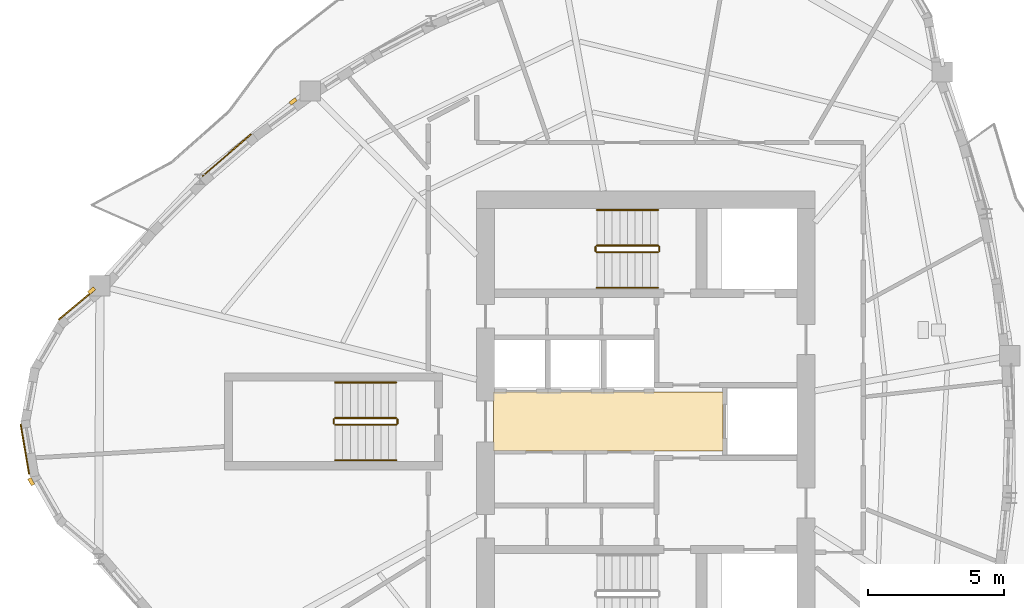
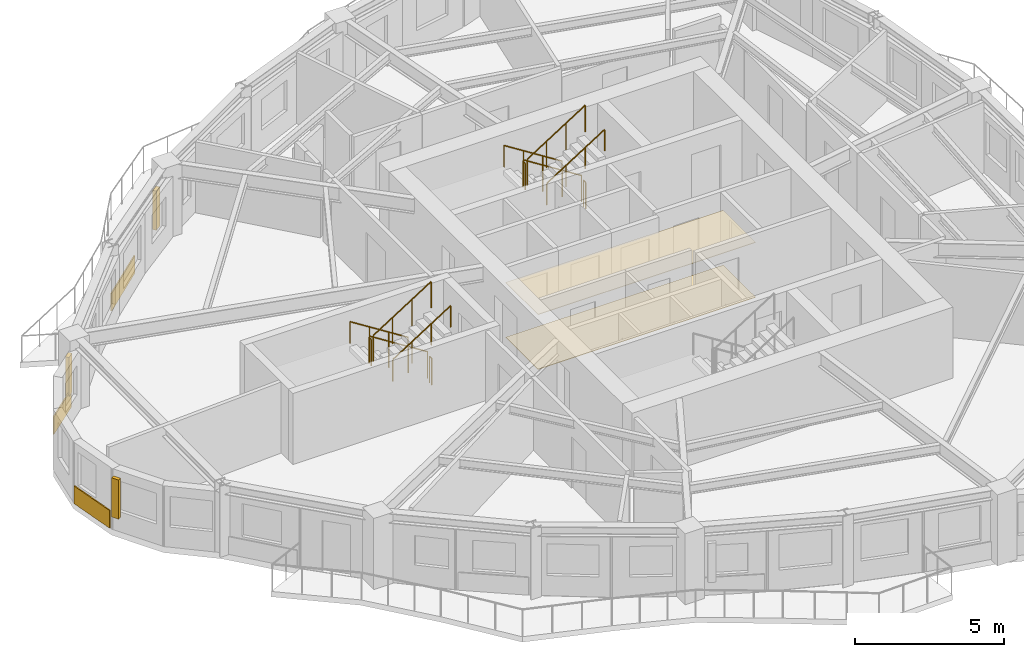
# One storey, part 10 of 12: 12 railings, 5 coverings, 3 shading devices.
"""IFC4 building model written with IfcOpenShell, lengths in metres."""

import ifcopenshell
import ifcopenshell.guid

model = None  # the IFC model being written
_history = None  # IfcOwnerHistory: only IFC2X3 demands one
_inside = {}  # id of a spatial element -> (the spatial element, [elements in it])
_under = {}  # id of a project, library or spatial element -> (it, [spatial elements below it])
_declared = {}  # id of a project -> (the project, [libraries it declares])
_typed = {}  # id of a type object -> (the type object, [elements of that type])
_made_of = {}  # id of a material, layer set ... -> (it, [elements and type objects made of it])


def new_model(schema):
    """Start an empty IFC model of exactly this schema.

    Asked for "IFC4X3", IfcOpenShell would pick the latest addendum, in which some entities
    have other attributes; the version numbers below select the first issue.
    IFC2X3 requires an IfcOwnerHistory on every rooted entity: one is made here for all.
    """
    global model, _history
    if schema == "IFC4X3":
        model = ifcopenshell.file(schema_version=(4, 3, 0, 0))
    else:
        model = ifcopenshell.file(schema=schema)
    _inside.clear()
    _under.clear()
    _declared.clear()
    _typed.clear()
    _made_of.clear()
    _history = None
    if model.schema == "IFC2X3":
        org = make("IfcOrganization", Name="unknown")
        user = make(
            "IfcPersonAndOrganization",
            ThePerson=make("IfcPerson", FamilyName="unknown"),
            TheOrganization=org,
        )
        app = make(
            "IfcApplication",
            ApplicationDeveloper=org,
            Version="unknown",
            ApplicationFullName="unknown",
            ApplicationIdentifier="unknown",
        )
        _history = make(
            "IfcOwnerHistory",
            OwningUser=user,
            OwningApplication=app,
            ChangeAction="ADDED",
            CreationDate=0,
        )
    return model


def make(cls, **values):
    """One entity of the class cls with the attributes given. An attribute that is None is left unset."""
    return model.create_entity(
        cls, **{name: value for name, value in values.items() if value is not None}
    )


def rooted(cls, **values):
    """An entity with a GlobalId (a new one), such as an element, a storey or a relation."""
    return make(cls, GlobalId=ifcopenshell.guid.new(), OwnerHistory=_history, **values)


def si_unit(unit_type, name, prefix=None):
    """IfcSIUnit, for example si_unit("LENGTHUNIT", "METRE", prefix="MILLI")."""
    return make("IfcSIUnit", UnitType=unit_type, Prefix=prefix, Name=name)


def assignment(units):
    """IfcUnitAssignment: the units of a project."""
    return None if units is None else make("IfcUnitAssignment", Units=units)


def point(xyz):
    """IfcCartesianPoint."""
    return None if xyz is None else make("IfcCartesianPoint", Coordinates=xyz)


def direction(xyz):
    """IfcDirection."""
    return None if xyz is None else make("IfcDirection", DirectionRatios=xyz)


def frame(location, z_axis=None, x_axis=None):
    """IfcAxis2Placement3D, a coordinate frame: its origin and axes. An axis left out is left unset."""
    return make(
        "IfcAxis2Placement3D",
        Location=point(location),
        Axis=direction(z_axis),
        RefDirection=direction(x_axis),
    )


def frame_2d(location, x_axis=None):
    """IfcAxis2Placement2D, a coordinate frame in the plane: its origin and x axis."""
    return make(
        "IfcAxis2Placement2D", Location=point(location), RefDirection=direction(x_axis)
    )


def origin():
    """The frame at (0, 0, 0) with its axes left unset."""
    return frame((0.0, 0.0, 0.0))


def origin_2d():
    """The frame at (0, 0) in the plane with its x axis left unset."""
    return frame_2d((0.0, 0.0))


def place(relative_to, where):
    """IfcLocalPlacement: puts the frame where relative to a parent placement (None: the world)."""
    return make(
        "IfcLocalPlacement", PlacementRelTo=relative_to, RelativePlacement=where
    )


def context(
    kind, dimensions, precision=None, world=None, true_north=None, identifier=None
):
    """IfcGeometricRepresentationContext, for example the 3D "Model" context."""
    return make(
        "IfcGeometricRepresentationContext",
        ContextIdentifier=identifier,
        ContextType=kind,
        CoordinateSpaceDimension=dimensions,
        Precision=precision,
        WorldCoordinateSystem=world,
        TrueNorth=true_north,
    )


def subcontext(parent, identifier, kind, view, scale=None):
    """IfcGeometricRepresentationSubContext, for example "Body" below "Model"."""
    return make(
        "IfcGeometricRepresentationSubContext",
        ContextIdentifier=identifier,
        ContextType=kind,
        ParentContext=parent,
        TargetScale=scale,
        TargetView=view,
    )


def project(units=None, contexts=None):
    """IfcProject with its units and contexts."""
    return rooted(
        "IfcProject",
        Name="project",
        RepresentationContexts=contexts,
        UnitsInContext=assignment(units),
    )


def spatial(cls, under=None, at=None, **own):
    """A site, building, storey or space (cls), placed at a placement, below another one or the project."""
    s = rooted(cls, ObjectPlacement=at, **own)
    if under is not None:
        _under.setdefault(under.id(), (under, []))[1].append(s)
    return s


def polyline(points):
    """IfcPolyline through the points."""
    return make("IfcPolyline", Points=[point(p) for p in points])


def profile(cls, at=None, kind="AREA", **sizes):
    """A parametric profile (cls). Its sizes go by their IFC names, for example OverallWidth=200.0."""
    return make(cls, ProfileType=kind, Position=at, **sizes)


def rectangle(**sizes):
    """IfcRectangleProfileDef."""
    return profile("IfcRectangleProfileDef", **sizes)


def circle(**sizes):
    """IfcCircleProfileDef."""
    return profile("IfcCircleProfileDef", **sizes)


def outline(outer, holes=None, kind="AREA"):
    """IfcArbitraryClosedProfileDef: a profile drawn as a closed curve; with holes, ...WithVoids."""
    if holes is None:
        return make("IfcArbitraryClosedProfileDef", ProfileType=kind, OuterCurve=outer)
    return make(
        "IfcArbitraryProfileDefWithVoids",
        ProfileType=kind,
        OuterCurve=outer,
        InnerCurves=holes,
    )


def extrude(swept, where, along, depth):
    """IfcExtrudedAreaSolid: the profile swept, set in the frame where, extruded along a direction by depth."""
    return make(
        "IfcExtrudedAreaSolid",
        SweptArea=swept,
        Position=where,
        ExtrudedDirection=direction(along),
        Depth=depth,
    )


def shape(context_of_items, identifier, shape_type, items):
    """IfcShapeRepresentation: the items that make up one representation, for example the "Body"."""
    return make(
        "IfcShapeRepresentation",
        ContextOfItems=context_of_items,
        RepresentationIdentifier=identifier,
        RepresentationType=shape_type,
        Items=items,
    )


def source(mapping_origin, context_of_items, identifier, shape_type, items):
    """IfcRepresentationMap: a shape defined once, which mapped items show again and again."""
    return make(
        "IfcRepresentationMap",
        MappingOrigin=mapping_origin,
        MappedRepresentation=shape(context_of_items, identifier, shape_type, items),
    )


def transform(
    local_origin,
    x_axis=None,
    y_axis=None,
    z_axis=None,
    scale=None,
    scale2=None,
    scale3=None,
    uniform=True,
):
    """IfcCartesianTransformationOperator3D, or its non-uniform kind. x_axis, y_axis, z_axis: its Axis1, 2, 3."""
    if uniform:
        return make(
            "IfcCartesianTransformationOperator3D",
            Axis1=direction(x_axis),
            Axis2=direction(y_axis),
            LocalOrigin=point(local_origin),
            Scale=scale,
            Axis3=direction(z_axis),
        )
    return make(
        "IfcCartesianTransformationOperator3DnonUniform",
        Axis1=direction(x_axis),
        Axis2=direction(y_axis),
        LocalOrigin=point(local_origin),
        Scale=scale,
        Axis3=direction(z_axis),
        Scale2=scale2,
        Scale3=scale3,
    )


def mapped(mapping_source, mapping_target):
    """IfcMappedItem: shows the shape of a source again, moved by a transform."""
    return make(
        "IfcMappedItem", MappingSource=mapping_source, MappingTarget=mapping_target
    )


def material(Name=None, Category=None):
    """IfcMaterial."""
    return make("IfcMaterial", Name=Name, Category=Category)


def layer(
    of_material, thickness, ventilated=None, Name=None, Category=None, Priority=None
):
    """IfcMaterialLayer: one layer of a wall or slab, of a material (None: an air gap)."""
    return make(
        "IfcMaterialLayer",
        Material=of_material,
        LayerThickness=thickness,
        IsVentilated=ventilated,
        Name=Name,
        Category=Category,
        Priority=Priority,
    )


def layer_set(layers, Name=None):
    """IfcMaterialLayerSet."""
    return make("IfcMaterialLayerSet", MaterialLayers=layers, LayerSetName=Name)


def made_of(thing, what):
    """Note that an element or type object is made of a material, layer set ...; save() writes the relation."""
    if what is not None:
        _made_of.setdefault(what.id(), (what, []))[1].append(thing)
    return thing


def type_object(cls, material=None, **own):
    """A type object (cls), such as IfcWallType, which elements share."""
    return made_of(rooted(cls, **own), material)


def element(
    cls,
    number,
    at=None,
    inside=None,
    cuts=None,
    type_object=None,
    material=None,
    context=None,
    identifier="Body",
    shape_type=None,
    held_by="IfcProductDefinitionShape",
    body=None,
    shapes=None,
    **own,
):
    """One element of the class cls, such as IfcWall. Its Tag is "e" and its number.

    at: its placement. inside: the storey or other place that contains it. cuts: it is an
    opening in that element (IfcRelVoidsElement). A single representation is given by context,
    identifier, shape_type and body (its items); several are given by shapes. held_by: the class
    of the entity that holds the representations. save() writes the other relations.
    """
    e = rooted(cls, Tag="e%d" % number, ObjectPlacement=at, **own)
    if body is not None:
        shapes = [shape(context, identifier, shape_type, body)]
    if shapes is not None:
        e.Representation = make(held_by, Representations=shapes)
    if inside is not None:
        _inside.setdefault(inside.id(), (inside, []))[1].append(e)
    if cuts is not None:
        rooted(
            "IfcRelVoidsElement", RelatingBuildingElement=cuts, RelatedOpeningElement=e
        )
    if type_object is not None:
        _typed.setdefault(type_object.id(), (type_object, []))[1].append(e)
    return made_of(e, material)


def aggregate(whole, parts):
    """IfcRelAggregates: a whole, such as a stair, and the parts it consists of."""
    return rooted("IfcRelAggregates", RelatingObject=whole, RelatedObjects=parts)


def save(model, path):
    """Write the relations noted so far, then the file.

    IfcRelAggregates (storeys below a building ...), IfcRelContainedInSpatialStructure (elements
    in a storey), IfcRelDefinesByType, IfcRelAssociatesMaterial and IfcRelDeclares: one each for
    every whole, place, type object, material and project.
    """
    for whole, parts in _under.values():
        aggregate(whole, parts)
    for where, things in _inside.values():
        rooted(
            "IfcRelContainedInSpatialStructure",
            RelatedElements=things,
            RelatingStructure=where,
        )
    for kind, things in _typed.values():
        rooted("IfcRelDefinesByType", RelatedObjects=things, RelatingType=kind)
    for what, things in _made_of.values():
        rooted("IfcRelAssociatesMaterial", RelatedObjects=things, RelatingMaterial=what)
    for by, libraries in _declared.values():
        rooted("IfcRelDeclares", RelatingContext=by, RelatedDefinitions=libraries)
    model.write(path)


model = new_model("IFC4")

# Units and contexts
model_context = context("Model", 3, precision=1e-05, world=origin(), true_north=direction((0.0, 1.0)))
body_context = subcontext(model_context, "Body", "Model", "MODEL_VIEW")
ifc_project = project(units=[si_unit("LENGTHUNIT", "METRE"), si_unit("AREAUNIT", "SQUARE_METRE"), si_unit("VOLUMEUNIT", "CUBIC_METRE"), si_unit("PLANEANGLEUNIT", "RADIAN"), si_unit("MASSUNIT", "GRAM", prefix="KILO")], contexts=[model_context])

# Site, building, storey
site_placement = place(None, origin())
site = spatial("IfcSite", under=ifc_project, at=site_placement, CompositionType="ELEMENT")
building_placement = place(site_placement, origin())
building = spatial("IfcBuilding", under=site, at=building_placement, Name="Qafzar Sky-Pleat Residences", CompositionType="ELEMENT")
storey_placement = place(building_placement, frame((0.0, 0.0, 187.39990234375)))
storey = spatial("IfcBuildingStorey", under=building, at=storey_placement, Name="L56", CompositionType="ELEMENT", Elevation=187.39990234375)

# Coverings
ifc_material_1 = material(Name="Perforated acoustic gypsum board ceiling")
ifc_layer_1 = layer(ifc_material_1, 0.02001953125)
ifc_layer_set_1 = layer_set([ifc_layer_1], Name="Perforated acoustic gypsum board ceiling")
covering_type_1 = type_object("IfcCoveringType", Name="COV-CEIL-ACOUSTIC", PredefinedType="CEILING", material=ifc_layer_set_1)
covering_1_placement = place(storey_placement, frame((0.0, 0.0, 2.239990234375)))
element("IfcCovering", 1, at=covering_1_placement, inside=storey, type_object=covering_type_1, Name="L56 Passenger Lift Lobby Acoustic Ceiling", PredefinedType="CEILING", context=body_context, shape_type="SweptSolid", body=[
    extrude(outline(polyline([(33.179931640625, 24.919921875), (24.77001953125, 24.919921875), (24.77001953125, 27.080078125), (33.179931640625, 27.080078125), (33.179931640625, 24.919921875)])), origin(), (0.0, 0.0, 1.0), 0.02001953125),
])
ifc_material_2 = material(Name="Honed porcelain and Riyadh stone tile flooring", Category="masonry")
ifc_layer_2 = layer(ifc_material_2, 0.02001953125)
ifc_layer_set_2 = layer_set([ifc_layer_2], Name="Honed porcelain and Riyadh stone tile flooring")
covering_type_2 = type_object("IfcCoveringType", Name="COV-FLR-PORCELAIN", PredefinedType="FLOORING", material=ifc_layer_set_2)
covering_2_placement = place(storey_placement, origin())
element("IfcCovering", 2, at=covering_2_placement, inside=storey, type_object=covering_type_2, Name="L56 Passenger Lift Lobby Honed Stone Flooring", PredefinedType="FLOORING", context=body_context, shape_type="SweptSolid", body=[
    extrude(outline(polyline([(33.179931640625, 24.919921875), (24.77001953125, 24.919921875), (24.77001953125, 27.080078125), (33.179931640625, 27.080078125), (33.179931640625, 24.919921875)])), origin(), (0.0, 0.0, 1.0), 0.02001953125),
])

# Shading devices
ifc_material_3 = material(Name="Honed Riyadh limestone solar fin", Category="masonry")
ifc_layer_3 = layer(ifc_material_3, 0.139892578125)
ifc_layer_set_3 = layer_set([ifc_layer_3], Name="Honed Riyadh limestone solar fin")
shading_device_type = type_object("IfcShadingDeviceType", Name="SHD-FIN-STONE", PredefinedType="SHUTTER", material=ifc_layer_set_3)
shared_shape_1 = source(origin(), body_context, "Body", "SweptSolid", [
    extrude(rectangle(XDim=0.139892578125, YDim=0.280029296875, at=origin_2d()), origin(), (0.0, 0.0, 1.0), 1.60009765625),
])
for number, where, z_axis, x_axis, name in (
    (3, (10.03271484375, 30.7958984375, 0.60009765625), (0.0, 0.0, 1.0), (-0.642173926269, 0.766558966042, 0.0), "L56 Limestone Solar Fin 1"),
    (4, (7.816162109375, 23.791748046875, 0.60009765625), (0.0, 0.0, 1.0), (-0.869657559867, -0.493655475576, 0.0), "L56 Limestone Solar Fin 5"),
    (5, (17.419921875, 37.733154296875, 0.60009765625), (0.0, 0.0, 1.0), (-0.594869562562, 0.803822246232, 0.0), "L56 Limestone Solar Fin 45"),
):
    element("IfcShadingDevice", number, at=place(storey_placement, frame(where, z_axis=z_axis, x_axis=x_axis)), inside=storey, type_object=shading_device_type, Name=name, PredefinedType="SHUTTER", context=body_context, shape_type="MappedRepresentation", body=[
        mapped(shared_shape_1, transform((0.0, 0.0, 0.0), x_axis=(1.0, 0.0, 0.0), y_axis=(0.0, 1.0, 0.0), z_axis=(0.0, 0.0, 1.0), scale=1.0)),
    ])

# Coverings
ifc_material_4 = material(Name="Honed Riyadh Tuwaiq limestone cladding", Category="masonry")
ifc_layer_4 = layer(ifc_material_4, 0.044921875)
ifc_layer_set_4 = layer_set([ifc_layer_4], Name="Honed Riyadh Tuwaiq limestone cladding")
covering_type_3 = type_object("IfcCoveringType", Name="COV-CLAD-STONE", PredefinedType="CLADDING", material=ifc_layer_set_4)
shared_shape_2 = source(origin(), body_context, "Body", "SweptSolid", [
    extrude(rectangle(XDim=1.873046875, YDim=0.044921875, at=origin_2d()), origin(), (0.0, 0.0, 1.0), 0.719970703125),
])
covering_3_placement = place(storey_placement, frame((7.5849609375, 24.980224609375, 0.02001953125), z_axis=(0.0, 0.0, 1.0), x_axis=(0.168075544172, -0.985774117864, 0.0)))
element("IfcCovering", 6, at=covering_3_placement, inside=storey, type_object=covering_type_3, Name="L56 Riyadh Limestone Spandrel Cladding 4", PredefinedType="CLADDING", context=body_context, shape_type="MappedRepresentation", body=[
    mapped(shared_shape_2, transform((0.0, 0.0, 0.0), x_axis=(1.0, 0.0, 0.0), y_axis=(0.0, 1.0, 0.0), z_axis=(0.0, 0.0, 1.0), scale=1.0)),
])
shared_shape_3 = source(origin(), body_context, "Body", "SweptSolid", [
    extrude(rectangle(XDim=1.690185546875, YDim=0.044921875, at=origin_2d()), origin(), (0.0, 0.0, 1.0), 0.719970703125),
])
covering_4_placement = place(storey_placement, frame((9.477783203125, 30.27490234375, 0.02001953125), z_axis=(0.0, 0.0, 1.0), x_axis=(-0.766555899937, -0.642177586242, 0.0)))
element("IfcCovering", 7, at=covering_4_placement, inside=storey, type_object=covering_type_3, Name="L56 Riyadh Limestone Spandrel Cladding 1", PredefinedType="CLADDING", context=body_context, shape_type="MappedRepresentation", body=[
    mapped(shared_shape_3, transform((0.0, 0.0, 0.0), x_axis=(1.0, 0.0, 0.0), y_axis=(0.0, 1.0, 0.0), z_axis=(0.0, 0.0, 1.0), scale=1.0)),
])
shared_shape_4 = source(origin(), body_context, "Body", "SweptSolid", [
    extrude(rectangle(XDim=2.363525390625, YDim=0.044921875, at=origin_2d()), origin(), (0.0, 0.0, 1.0), 0.719970703125),
])
covering_5_placement = place(storey_placement, frame((14.992919921875, 35.765625, 0.02001953125), z_axis=(0.0, 0.0, 1.0), x_axis=(-0.757487878678, -0.652849227354, 0.0)))
element("IfcCovering", 8, at=covering_5_placement, inside=storey, type_object=covering_type_3, Name="L56 Riyadh Limestone Spandrel Cladding 46", PredefinedType="CLADDING", context=body_context, shape_type="MappedRepresentation", body=[
    mapped(shared_shape_4, transform((0.0, 0.0, 0.0), x_axis=(1.0, 0.0, 0.0), y_axis=(0.0, 1.0, 0.0), z_axis=(0.0, 0.0, 1.0), scale=1.0)),
])

# Railings
ifc_material_5 = material(Name="Painted Steel S355 stair guardrail", Category="steel")
railing_type_1 = type_object("IfcRailingType", Name="RAIL-STAIR-GUARD", PredefinedType="GUARDRAIL", material=ifc_material_5)
shared_shape_5 = source(origin(), body_context, "Body", "SweptSolid", [
    extrude(circle(Radius=0.02392578125, at=origin_2d()), frame((0.0, 0.0, 1.076171875), z_axis=(0.0, -1.0, 0.0), x_axis=(1.0, 0.0, 0.0)), (0.0, 0.0, 1.0), 0.14990234375),
    extrude(circle(Radius=0.02099609375, at=origin_2d()), origin(), (0.0, 0.0, 1.0), 1.052001953125),
    extrude(circle(Radius=0.02099609375, at=origin_2d()), frame((0.0, -0.14990234375, 0.0)), (0.0, 0.0, 1.0), 1.052001953125),
])
for number, where, name in (
    (9, (28.510009765625, 32.39990234375, 1.60009765625), "L56 ST2 stair guard 2"),
    (10, (30.85009765625, 32.39990234375, 0.0), "L56 ST2 stair guard 4"),
    (11, (18.909912109375, 26.074951171875, 1.60009765625), "L56 ST3 stair guard 2"),
    (12, (21.25, 26.074951171875, 0.0), "L56 ST3 stair guard 4"),
):
    element("IfcRailing", number, at=place(storey_placement, frame(where)), inside=storey, type_object=railing_type_1, Name=name, PredefinedType="GUARDRAIL", context=body_context, shape_type="MappedRepresentation", body=[
        mapped(shared_shape_5, transform((0.0, 0.0, 0.0), x_axis=(1.0, 0.0, 0.0), y_axis=(0.0, 1.0, 0.0), z_axis=(0.0, 0.0, 1.0), scale=1.0)),
    ])
shared_shape_6 = source(origin(), body_context, "Body", "SweptSolid", [
    extrude(circle(Radius=0.02392578125, at=origin_2d()), frame((0.0, 0.0, 1.076171875), z_axis=(-0.8442293374, 0.0, 0.53598211339), x_axis=(0.0, -1.0, 0.0)), (0.0, 0.0, 1.0), 2.6533203125),
    extrude(circle(Radius=0.02099609375, at=origin_2d()), origin(), (0.0, 0.0, 1.0), 1.052001953125),
    extrude(circle(Radius=0.02099609375, at=origin_2d()), frame((-0.74658203125, 0.0, 0.47412109375)), (0.0, 0.0, 1.0), 1.052001953125),
    extrude(circle(Radius=0.02099609375, at=origin_2d()), frame((-1.493408203125, 0.0, 0.947998046875)), (0.0, 0.0, 1.0), 1.052001953125),
    extrude(circle(Radius=0.02099609375, at=origin_2d()), frame((-2.239990234375, 0.0, 1.422119140625)), (0.0, 0.0, 1.0), 1.052001953125),
])
for number, where, name in (
    (13, (30.800048828125, 32.449951171875, 0.177978515625), "L56 ST2 stair guard 1"),
    (14, (21.199951171875, 26.125, 0.177978515625), "L56 ST3 stair guard 1"),
):
    element("IfcRailing", number, at=place(storey_placement, frame(where)), inside=storey, type_object=railing_type_1, Name=name, PredefinedType="GUARDRAIL", context=body_context, shape_type="MappedRepresentation", body=[
        mapped(shared_shape_6, transform((0.0, 0.0, 0.0), x_axis=(1.0, 0.0, 0.0), y_axis=(0.0, 1.0, 0.0), z_axis=(0.0, 0.0, 1.0), scale=1.0)),
    ])
ifc_material_6 = material(Name="Brushed stainless steel handrail", Category="steel")
railing_type_2 = type_object("IfcRailingType", Name="RAIL-STAIR-HAND", PredefinedType="HANDRAIL", material=ifc_material_6)
shared_shape_7 = source(origin(), body_context, "Body", "SweptSolid", [
    extrude(circle(Radius=0.02392578125, at=origin_2d()), frame((0.0, 0.0, 0.8759765625), z_axis=(-0.8442293374, 0.0, 0.53598211339), x_axis=(0.0, -1.0, 0.0)), (0.0, 0.0, 1.0), 2.6533203125),
    extrude(circle(Radius=0.02099609375, at=origin_2d()), origin(), (0.0, 0.0, 1.0), 0.851806640625),
    extrude(circle(Radius=0.02099609375, at=origin_2d()), frame((-0.74658203125, 0.0, 0.47412109375)), (0.0, 0.0, 1.0), 0.851806640625),
    extrude(circle(Radius=0.02099609375, at=origin_2d()), frame((-1.493408203125, 0.0, 0.947998046875)), (0.0, 0.0, 1.0), 0.851806640625),
    extrude(circle(Radius=0.02099609375, at=origin_2d()), frame((-2.239990234375, 0.0, 1.422119140625)), (0.0, 0.0, 1.0), 0.851806640625),
])
for number, where, name in (
    (15, (30.800048828125, 33.75, 0.177978515625), "L56 ST2 stair handrail 1"),
    (16, (21.199951171875, 27.425048828125, 0.177978515625), "L56 ST3 stair handrail 1"),
):
    element("IfcRailing", number, at=place(storey_placement, frame(where)), inside=storey, type_object=railing_type_2, Name=name, PredefinedType="HANDRAIL", context=body_context, shape_type="MappedRepresentation", body=[
        mapped(shared_shape_7, transform((0.0, 0.0, 0.0), x_axis=(1.0, 0.0, 0.0), y_axis=(0.0, 1.0, 0.0), z_axis=(0.0, 0.0, 1.0), scale=1.0)),
    ])
shared_shape_8 = source(origin(), body_context, "Body", "SweptSolid", [
    extrude(circle(Radius=0.02392578125, at=origin_2d()), frame((0.0, 0.0, 1.076171875), z_axis=(0.84418770128, 0.0, 0.536047689118), x_axis=(0.0, 1.0, 0.0)), (0.0, 0.0, 1.0), 2.6533203125),
    extrude(circle(Radius=0.02099609375, at=origin_2d()), origin(), (0.0, 0.0, 1.0), 1.052001953125),
    extrude(circle(Radius=0.02099609375, at=origin_2d()), frame((0.74658203125, 0.0, 0.47412109375)), (0.0, 0.0, 1.0), 1.052001953125),
    extrude(circle(Radius=0.02099609375, at=origin_2d()), frame((1.493408203125, 0.0, 0.9482421875)), (0.0, 0.0, 1.0), 1.052001953125),
    extrude(circle(Radius=0.02099609375, at=origin_2d()), frame((2.239990234375, 0.0, 1.42236328125)), (0.0, 0.0, 1.0), 1.052001953125),
])
for number, where, name in (
    (17, (28.56005859375, 32.199951171875, 1.77783203125), "L56 ST2 stair guard 3"),
    (18, (18.9599609375, 25.875, 1.77783203125), "L56 ST3 stair guard 3"),
):
    element("IfcRailing", number, at=place(storey_placement, frame(where)), inside=storey, type_object=railing_type_1, Name=name, PredefinedType="GUARDRAIL", context=body_context, shape_type="MappedRepresentation", body=[
        mapped(shared_shape_8, transform((0.0, 0.0, 0.0), x_axis=(1.0, 0.0, 0.0), y_axis=(0.0, 1.0, 0.0), z_axis=(0.0, 0.0, 1.0), scale=1.0)),
    ])
shared_shape_9 = source(origin(), body_context, "Body", "SweptSolid", [
    extrude(circle(Radius=0.02392578125, at=origin_2d()), frame((0.0, 0.0, 0.8759765625), z_axis=(0.84418770128, 0.0, 0.536047689118), x_axis=(0.0, 1.0, 0.0)), (0.0, 0.0, 1.0), 2.6533203125),
    extrude(circle(Radius=0.02099609375, at=origin_2d()), origin(), (0.0, 0.0, 1.0), 0.851806640625),
    extrude(circle(Radius=0.02099609375, at=origin_2d()), frame((0.74658203125, 0.0, 0.47412109375)), (0.0, 0.0, 1.0), 0.851806640625),
    extrude(circle(Radius=0.02099609375, at=origin_2d()), frame((1.493408203125, 0.0, 0.9482421875)), (0.0, 0.0, 1.0), 0.851806640625),
    extrude(circle(Radius=0.02099609375, at=origin_2d()), frame((2.239990234375, 0.0, 1.42236328125)), (0.0, 0.0, 1.0), 0.851806640625),
])
for number, where, name in (
    (19, (28.56005859375, 30.89990234375, 1.77783203125), "L56 ST2 stair handrail 2"),
    (20, (18.9599609375, 24.574951171875, 1.77783203125), "L56 ST3 stair handrail 2"),
):
    element("IfcRailing", number, at=place(storey_placement, frame(where)), inside=storey, type_object=railing_type_2, Name=name, PredefinedType="HANDRAIL", context=body_context, shape_type="MappedRepresentation", body=[
        mapped(shared_shape_9, transform((0.0, 0.0, 0.0), x_axis=(1.0, 0.0, 0.0), y_axis=(0.0, 1.0, 0.0), z_axis=(0.0, 0.0, 1.0), scale=1.0)),
    ])

save(model, "model.ifc")
